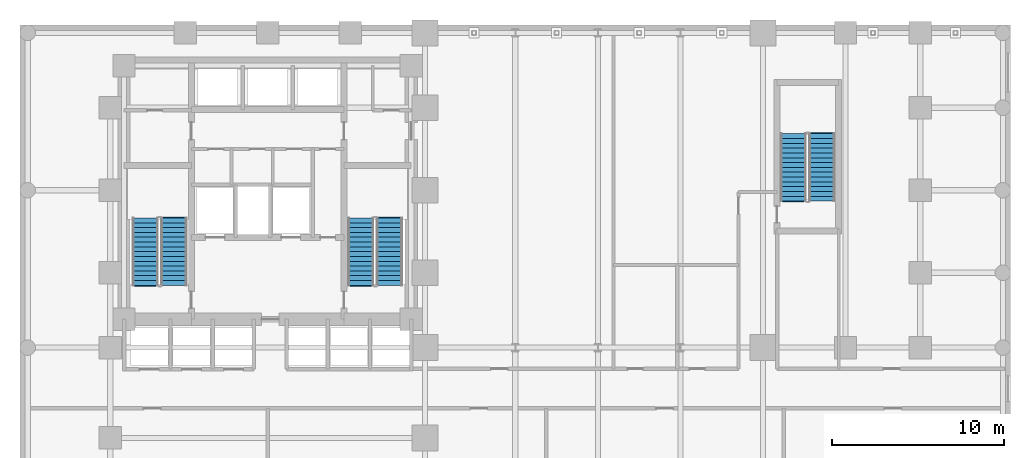
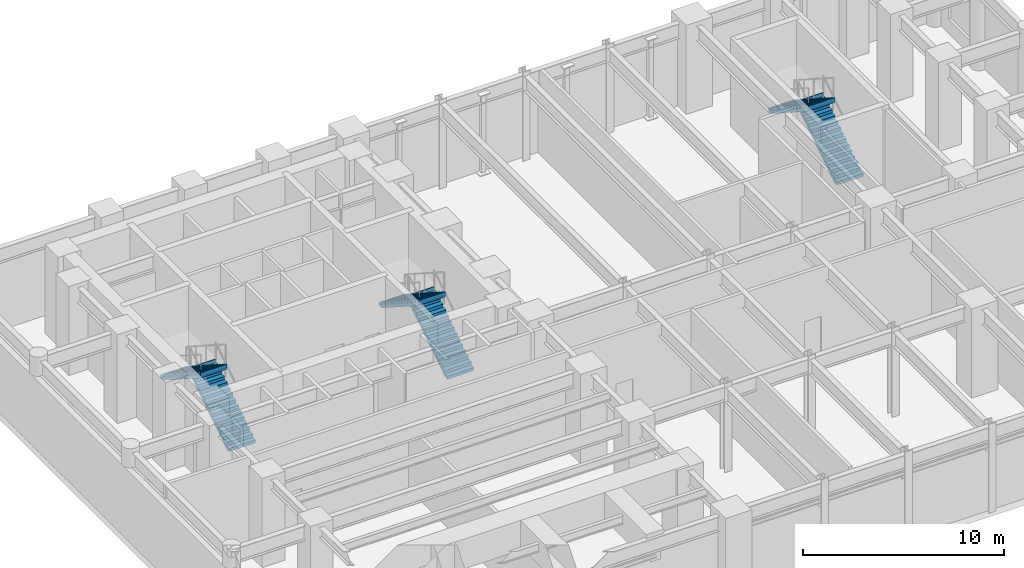
# One storey, part 8 of 10: 6 stair flights, 3 elements without a shape of their own.
"""IFC4 building model written with IfcOpenShell, lengths in metres."""

from ifc_helpers import new_model, si_unit, direction, frame, origin, place, context, subcontext, project, spatial, polyline, outline, extrude, material, type_object, element, aggregate, save


model = new_model("IFC4")

# Units and contexts
model_context = context("Model", 3, precision=1e-05, world=origin(), true_north=direction((0.0, 1.0)))
body_context = subcontext(model_context, "Body", "Model", "MODEL_VIEW")
ifc_project = project(units=[si_unit("LENGTHUNIT", "METRE"), si_unit("AREAUNIT", "SQUARE_METRE"), si_unit("VOLUMEUNIT", "CUBIC_METRE"), si_unit("PLANEANGLEUNIT", "RADIAN"), si_unit("MASSUNIT", "GRAM", prefix="KILO")], contexts=[model_context])

# Site, building, storey
site_placement = place(None, origin())
site = spatial("IfcSite", under=ifc_project, at=site_placement, CompositionType="ELEMENT")
building_placement = place(site_placement, origin())
building = spatial("IfcBuilding", under=site, at=building_placement, Name="Orvandelia Arch Residences", CompositionType="ELEMENT")
storey_placement = place(building_placement, frame((0.0, 0.0, 19.60009765625)))
storey = spatial("IfcBuildingStorey", under=building, at=storey_placement, Name="L04", CompositionType="ELEMENT", Elevation=19.60009765625)

# Stair, stair flights
ifc_material = material(Name="Concrete C40/50", Category="concrete")
stair_type = type_object("IfcStairType", Name="STAIR-RC-DOGLEG", PredefinedType="HALF_TURN_STAIR", material=ifc_material)
stair_1_placement = place(storey_placement, origin())
stair_1 = element("IfcStair", 1, at=stair_1_placement, inside=storey, type_object=stair_type, Name="L04 Protected Exit Stair ST-1", PredefinedType="HALF_TURN_STAIR")
stair_flight_type = type_object("IfcStairFlightType", Name="STFLT-RC-1520", PredefinedType="STRAIGHT", material=ifc_material)
stair_flight_1_placement = place(storey_placement, frame((8.9599609375, 32.8701171875, 0.0), z_axis=(0.0, 0.0, 1.0), x_axis=(0.0, 1.0, 0.0)))
stair_flight_1 = element("IfcStairFlight", 2, at=stair_flight_1_placement, type_object=stair_flight_type, Name="ST-1 flight 1", NumberOfRisers=15, NumberOfTreads=14, PredefinedType="STRAIGHT", RiserHeight=0.18, TreadLength=0.28, context=body_context, shape_type="SweptSolid", body=[
    extrude(outline(polyline([(0.0, 0.0), (0.0, 0.179931640625), (0.280029296875, 0.179931640625), (0.280029296875, 0.360107421875), (0.56005859375, 0.360107421875), (0.56005859375, 0.5400390625), (0.840087890625, 0.5400390625), (0.840087890625, 0.719970703125), (1.1201171875, 0.719970703125), (1.1201171875, 0.89990234375), (1.39990234375, 0.89990234375), (1.39990234375, 1.080078125), (1.679931640625, 1.080078125), (1.679931640625, 1.260009765625), (1.9599609375, 1.260009765625), (1.9599609375, 1.43994140625), (2.239990234375, 1.43994140625), (2.239990234375, 1.6201171875), (2.52001953125, 1.6201171875), (2.52001953125, 1.800048828125), (2.800048828125, 1.800048828125), (2.800048828125, 1.97998046875), (3.080078125, 1.97998046875), (3.080078125, 2.159912109375), (3.360107421875, 2.159912109375), (3.360107421875, 2.340087890625), (3.639892578125, 2.340087890625), (3.639892578125, 2.52001953125), (3.919921875, 2.52001953125), (3.919921875, 2.699951171875), (3.97998046875, 2.699951171875), (3.97998046875, 2.52001953125), (3.919921875, 2.341796875), (0.277099609375, 0.0), (0.0, 0.0)])), frame((0.0, 0.760009765625, 0.0), z_axis=(0.0, -1.0, 0.0), x_axis=(1.0, 0.0, 0.0)), (0.0, 0.0, 1.0), 1.52001953125),
])
stair_flight_2_placement = place(storey_placement, frame((7.2900390625, 36.7900390625, 2.699951171875), z_axis=(0.0, 0.0, 1.0), x_axis=(0.0, -1.0, 0.0)))
stair_flight_2 = element("IfcStairFlight", 3, at=stair_flight_2_placement, type_object=stair_flight_type, Name="ST-1 flight 2", NumberOfRisers=15, NumberOfTreads=14, PredefinedType="STRAIGHT", RiserHeight=0.18, TreadLength=0.28, context=body_context, shape_type="SweptSolid", body=[
    extrude(outline(polyline([(0.0, 0.0), (0.0, 0.179931640625), (0.280029296875, 0.179931640625), (0.280029296875, 0.360107421875), (0.56005859375, 0.360107421875), (0.56005859375, 0.5400390625), (0.840087890625, 0.5400390625), (0.840087890625, 0.719970703125), (1.1201171875, 0.719970703125), (1.1201171875, 0.89990234375), (1.39990234375, 0.89990234375), (1.39990234375, 1.080078125), (1.679931640625, 1.080078125), (1.679931640625, 1.260009765625), (1.9599609375, 1.260009765625), (1.9599609375, 1.43994140625), (2.239990234375, 1.43994140625), (2.239990234375, 1.6201171875), (2.52001953125, 1.6201171875), (2.52001953125, 1.800048828125), (2.800048828125, 1.800048828125), (2.800048828125, 1.97998046875), (3.080078125, 1.97998046875), (3.080078125, 2.159912109375), (3.360107421875, 2.159912109375), (3.360107421875, 2.340087890625), (3.639892578125, 2.340087890625), (3.639892578125, 2.52001953125), (3.919921875, 2.52001953125), (3.919921875, 2.699951171875), (3.97998046875, 2.699951171875), (3.97998046875, 2.52001953125), (3.919921875, 2.341796875), (0.277099609375, 0.0), (0.0, 0.0)])), frame((0.0, 0.760009765625, 0.0), z_axis=(0.0, -1.0, 0.0), x_axis=(1.0, 0.0, 0.0)), (0.0, 0.0, 1.0), 1.52001953125),
])
aggregate(stair_1, [stair_flight_1, stair_flight_2])

stair_2_placement = place(storey_placement, origin())
stair_2 = element("IfcStair", 4, at=stair_2_placement, inside=storey, type_object=stair_type, Name="L04 Protected Exit Stair ST-2", PredefinedType="HALF_TURN_STAIR")
stair_flight_3_placement = place(storey_placement, frame((21.489990234375, 32.8701171875, 0.0), z_axis=(0.0, 0.0, 1.0), x_axis=(0.0, 1.0, 0.0)))
stair_flight_3 = element("IfcStairFlight", 5, at=stair_flight_3_placement, type_object=stair_flight_type, Name="ST-2 flight 1", NumberOfRisers=15, NumberOfTreads=14, PredefinedType="STRAIGHT", RiserHeight=0.18, TreadLength=0.28, context=body_context, shape_type="SweptSolid", body=[
    extrude(outline(polyline([(0.0, 0.0), (0.0, 0.179931640625), (0.280029296875, 0.179931640625), (0.280029296875, 0.360107421875), (0.56005859375, 0.360107421875), (0.56005859375, 0.5400390625), (0.840087890625, 0.5400390625), (0.840087890625, 0.719970703125), (1.1201171875, 0.719970703125), (1.1201171875, 0.89990234375), (1.39990234375, 0.89990234375), (1.39990234375, 1.080078125), (1.679931640625, 1.080078125), (1.679931640625, 1.260009765625), (1.9599609375, 1.260009765625), (1.9599609375, 1.43994140625), (2.239990234375, 1.43994140625), (2.239990234375, 1.6201171875), (2.52001953125, 1.6201171875), (2.52001953125, 1.800048828125), (2.800048828125, 1.800048828125), (2.800048828125, 1.97998046875), (3.080078125, 1.97998046875), (3.080078125, 2.159912109375), (3.360107421875, 2.159912109375), (3.360107421875, 2.340087890625), (3.639892578125, 2.340087890625), (3.639892578125, 2.52001953125), (3.919921875, 2.52001953125), (3.919921875, 2.699951171875), (3.97998046875, 2.699951171875), (3.97998046875, 2.52001953125), (3.919921875, 2.341796875), (0.277099609375, 0.0), (0.0, 0.0)])), frame((0.0, 0.760009765625, 0.0), z_axis=(0.0, -1.0, 0.0), x_axis=(1.0, 0.0, 0.0)), (0.0, 0.0, 1.0), 1.52001953125),
])
stair_flight_4_placement = place(storey_placement, frame((19.820068359375, 36.7900390625, 2.699951171875), z_axis=(0.0, 0.0, 1.0), x_axis=(0.0, -1.0, 0.0)))
stair_flight_4 = element("IfcStairFlight", 6, at=stair_flight_4_placement, type_object=stair_flight_type, Name="ST-2 flight 2", NumberOfRisers=15, NumberOfTreads=14, PredefinedType="STRAIGHT", RiserHeight=0.18, TreadLength=0.28, context=body_context, shape_type="SweptSolid", body=[
    extrude(outline(polyline([(0.0, 0.0), (0.0, 0.179931640625), (0.280029296875, 0.179931640625), (0.280029296875, 0.360107421875), (0.56005859375, 0.360107421875), (0.56005859375, 0.5400390625), (0.840087890625, 0.5400390625), (0.840087890625, 0.719970703125), (1.1201171875, 0.719970703125), (1.1201171875, 0.89990234375), (1.39990234375, 0.89990234375), (1.39990234375, 1.080078125), (1.679931640625, 1.080078125), (1.679931640625, 1.260009765625), (1.9599609375, 1.260009765625), (1.9599609375, 1.43994140625), (2.239990234375, 1.43994140625), (2.239990234375, 1.6201171875), (2.52001953125, 1.6201171875), (2.52001953125, 1.800048828125), (2.800048828125, 1.800048828125), (2.800048828125, 1.97998046875), (3.080078125, 1.97998046875), (3.080078125, 2.159912109375), (3.360107421875, 2.159912109375), (3.360107421875, 2.340087890625), (3.639892578125, 2.340087890625), (3.639892578125, 2.52001953125), (3.919921875, 2.52001953125), (3.919921875, 2.699951171875), (3.97998046875, 2.699951171875), (3.97998046875, 2.52001953125), (3.919921875, 2.341796875), (0.277099609375, 0.0), (0.0, 0.0)])), frame((0.0, 0.760009765625, 0.0), z_axis=(0.0, -1.0, 0.0), x_axis=(1.0, 0.0, 0.0)), (0.0, 0.0, 1.0), 1.52001953125),
])
aggregate(stair_2, [stair_flight_3, stair_flight_4])

stair_3_placement = place(storey_placement, origin())
stair_3 = element("IfcStair", 7, at=stair_3_placement, inside=storey, type_object=stair_type, Name="L04 East Wing Exit Stair ST-3", PredefinedType="HALF_TURN_STAIR")
stair_flight_5_placement = place(storey_placement, frame((46.639892578125, 37.77001953125, 0.0), z_axis=(0.0, 0.0, 1.0), x_axis=(0.0, 1.0, 0.0)))
stair_flight_5 = element("IfcStairFlight", 8, at=stair_flight_5_placement, type_object=stair_flight_type, Name="ST-3 flight 1", NumberOfRisers=15, NumberOfTreads=14, PredefinedType="STRAIGHT", RiserHeight=0.18, TreadLength=0.28, context=body_context, shape_type="SweptSolid", body=[
    extrude(outline(polyline([(0.0, 0.0), (0.0, 0.179931640625), (0.280029296875, 0.179931640625), (0.280029296875, 0.360107421875), (0.56005859375, 0.360107421875), (0.56005859375, 0.5400390625), (0.840087890625, 0.5400390625), (0.840087890625, 0.719970703125), (1.1201171875, 0.719970703125), (1.1201171875, 0.89990234375), (1.39990234375, 0.89990234375), (1.39990234375, 1.080078125), (1.679931640625, 1.080078125), (1.679931640625, 1.260009765625), (1.9599609375, 1.260009765625), (1.9599609375, 1.43994140625), (2.239990234375, 1.43994140625), (2.239990234375, 1.6201171875), (2.52001953125, 1.6201171875), (2.52001953125, 1.800048828125), (2.800048828125, 1.800048828125), (2.800048828125, 1.97998046875), (3.080078125, 1.97998046875), (3.080078125, 2.159912109375), (3.360107421875, 2.159912109375), (3.360107421875, 2.340087890625), (3.639892578125, 2.340087890625), (3.639892578125, 2.52001953125), (3.919921875, 2.52001953125), (3.919921875, 2.699951171875), (3.97998046875, 2.699951171875), (3.97998046875, 2.52001953125), (3.919921875, 2.341796875), (0.277099609375, 0.0), (0.0, 0.0)])), frame((0.0, 0.760009765625, 0.0), z_axis=(0.0, -1.0, 0.0), x_axis=(1.0, 0.0, 0.0)), (0.0, 0.0, 1.0), 1.52001953125),
])
stair_flight_6_placement = place(storey_placement, frame((44.969970703125, 41.68994140625, 2.699951171875), z_axis=(0.0, 0.0, 1.0), x_axis=(0.0, -1.0, 0.0)))
stair_flight_6 = element("IfcStairFlight", 9, at=stair_flight_6_placement, type_object=stair_flight_type, Name="ST-3 flight 2", NumberOfRisers=15, NumberOfTreads=14, PredefinedType="STRAIGHT", RiserHeight=0.18, TreadLength=0.28, context=body_context, shape_type="SweptSolid", body=[
    extrude(outline(polyline([(0.0, 0.0), (0.0, 0.179931640625), (0.280029296875, 0.179931640625), (0.280029296875, 0.360107421875), (0.56005859375, 0.360107421875), (0.56005859375, 0.5400390625), (0.840087890625, 0.5400390625), (0.840087890625, 0.719970703125), (1.1201171875, 0.719970703125), (1.1201171875, 0.89990234375), (1.39990234375, 0.89990234375), (1.39990234375, 1.080078125), (1.679931640625, 1.080078125), (1.679931640625, 1.260009765625), (1.9599609375, 1.260009765625), (1.9599609375, 1.43994140625), (2.239990234375, 1.43994140625), (2.239990234375, 1.6201171875), (2.52001953125, 1.6201171875), (2.52001953125, 1.800048828125), (2.800048828125, 1.800048828125), (2.800048828125, 1.97998046875), (3.080078125, 1.97998046875), (3.080078125, 2.159912109375), (3.360107421875, 2.159912109375), (3.360107421875, 2.340087890625), (3.639892578125, 2.340087890625), (3.639892578125, 2.52001953125), (3.919921875, 2.52001953125), (3.919921875, 2.699951171875), (3.97998046875, 2.699951171875), (3.97998046875, 2.52001953125), (3.919921875, 2.341796875), (0.277099609375, 0.0), (0.0, 0.0)])), frame((0.0, 0.760009765625, 0.0), z_axis=(0.0, -1.0, 0.0), x_axis=(1.0, 0.0, 0.0)), (0.0, 0.0, 1.0), 1.52001953125),
])
aggregate(stair_3, [stair_flight_5, stair_flight_6])

save(model, "model.ifc")
